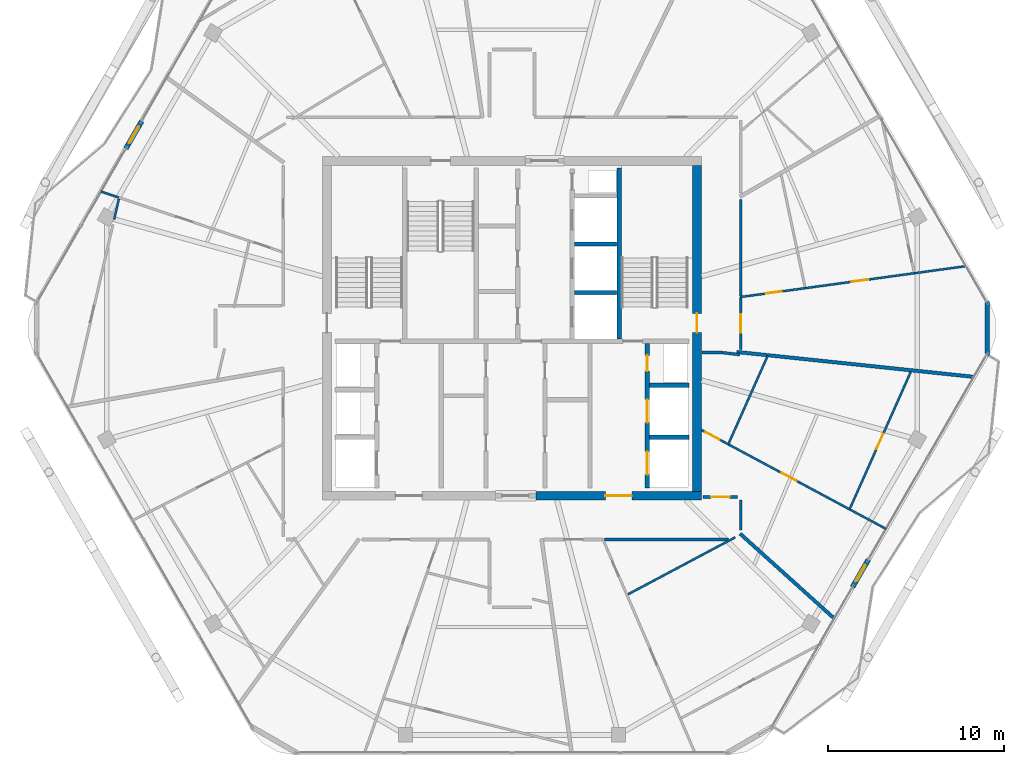
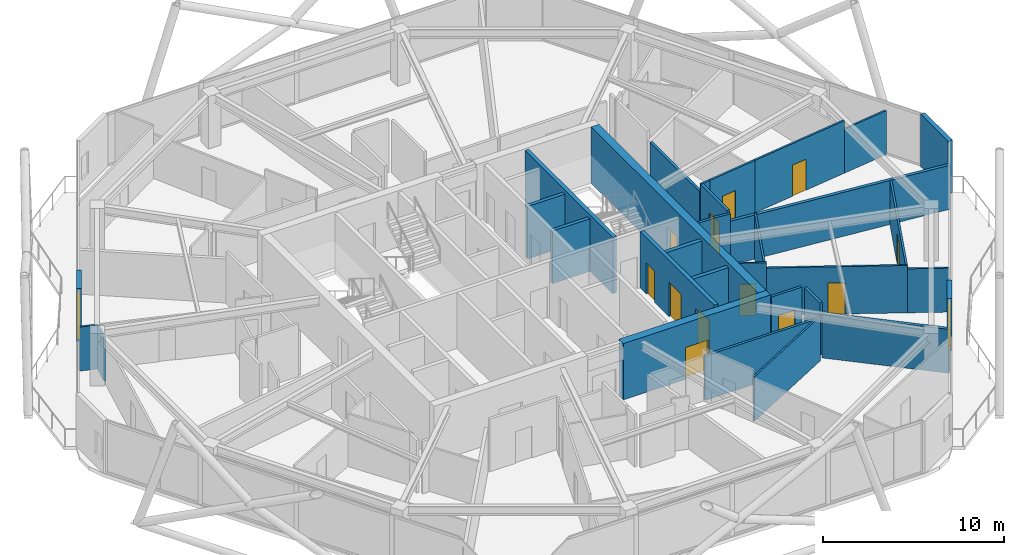
# One storey, part 18 of 23: 32 walls, 14 doors, 14 openings.
"""IFC4 building model written with IfcOpenShell, lengths in metres."""

import ifcopenshell
import ifcopenshell.guid

model = None  # the IFC model being written
_history = None  # IfcOwnerHistory: only IFC2X3 demands one
_inside = {}  # id of a spatial element -> (the spatial element, [elements in it])
_under = {}  # id of a project, library or spatial element -> (it, [spatial elements below it])
_declared = {}  # id of a project -> (the project, [libraries it declares])
_typed = {}  # id of a type object -> (the type object, [elements of that type])
_made_of = {}  # id of a material, layer set ... -> (it, [elements and type objects made of it])


def new_model(schema):
    """Start an empty IFC model of exactly this schema.

    Asked for "IFC4X3", IfcOpenShell would pick the latest addendum, in which some entities
    have other attributes; the version numbers below select the first issue.
    IFC2X3 requires an IfcOwnerHistory on every rooted entity: one is made here for all.
    """
    global model, _history
    if schema == "IFC4X3":
        model = ifcopenshell.file(schema_version=(4, 3, 0, 0))
    else:
        model = ifcopenshell.file(schema=schema)
    _inside.clear()
    _under.clear()
    _declared.clear()
    _typed.clear()
    _made_of.clear()
    _history = None
    if model.schema == "IFC2X3":
        org = make("IfcOrganization", Name="unknown")
        user = make(
            "IfcPersonAndOrganization",
            ThePerson=make("IfcPerson", FamilyName="unknown"),
            TheOrganization=org,
        )
        app = make(
            "IfcApplication",
            ApplicationDeveloper=org,
            Version="unknown",
            ApplicationFullName="unknown",
            ApplicationIdentifier="unknown",
        )
        _history = make(
            "IfcOwnerHistory",
            OwningUser=user,
            OwningApplication=app,
            ChangeAction="ADDED",
            CreationDate=0,
        )
    return model


def make(cls, **values):
    """One entity of the class cls with the attributes given. An attribute that is None is left unset."""
    return model.create_entity(
        cls, **{name: value for name, value in values.items() if value is not None}
    )


def rooted(cls, **values):
    """An entity with a GlobalId (a new one), such as an element, a storey or a relation."""
    return make(cls, GlobalId=ifcopenshell.guid.new(), OwnerHistory=_history, **values)


def si_unit(unit_type, name, prefix=None):
    """IfcSIUnit, for example si_unit("LENGTHUNIT", "METRE", prefix="MILLI")."""
    return make("IfcSIUnit", UnitType=unit_type, Prefix=prefix, Name=name)


def assignment(units):
    """IfcUnitAssignment: the units of a project."""
    return None if units is None else make("IfcUnitAssignment", Units=units)


def point(xyz):
    """IfcCartesianPoint."""
    return None if xyz is None else make("IfcCartesianPoint", Coordinates=xyz)


def direction(xyz):
    """IfcDirection."""
    return None if xyz is None else make("IfcDirection", DirectionRatios=xyz)


def frame(location, z_axis=None, x_axis=None):
    """IfcAxis2Placement3D, a coordinate frame: its origin and axes. An axis left out is left unset."""
    return make(
        "IfcAxis2Placement3D",
        Location=point(location),
        Axis=direction(z_axis),
        RefDirection=direction(x_axis),
    )


def frame_2d(location, x_axis=None):
    """IfcAxis2Placement2D, a coordinate frame in the plane: its origin and x axis."""
    return make(
        "IfcAxis2Placement2D", Location=point(location), RefDirection=direction(x_axis)
    )


def origin():
    """The frame at (0, 0, 0) with its axes left unset."""
    return frame((0.0, 0.0, 0.0))


def place(relative_to, where):
    """IfcLocalPlacement: puts the frame where relative to a parent placement (None: the world)."""
    return make(
        "IfcLocalPlacement", PlacementRelTo=relative_to, RelativePlacement=where
    )


def context(
    kind, dimensions, precision=None, world=None, true_north=None, identifier=None
):
    """IfcGeometricRepresentationContext, for example the 3D "Model" context."""
    return make(
        "IfcGeometricRepresentationContext",
        ContextIdentifier=identifier,
        ContextType=kind,
        CoordinateSpaceDimension=dimensions,
        Precision=precision,
        WorldCoordinateSystem=world,
        TrueNorth=true_north,
    )


def subcontext(parent, identifier, kind, view, scale=None):
    """IfcGeometricRepresentationSubContext, for example "Body" below "Model"."""
    return make(
        "IfcGeometricRepresentationSubContext",
        ContextIdentifier=identifier,
        ContextType=kind,
        ParentContext=parent,
        TargetScale=scale,
        TargetView=view,
    )


def project(units=None, contexts=None):
    """IfcProject with its units and contexts."""
    return rooted(
        "IfcProject",
        Name="project",
        RepresentationContexts=contexts,
        UnitsInContext=assignment(units),
    )


def spatial(cls, under=None, at=None, **own):
    """A site, building, storey or space (cls), placed at a placement, below another one or the project."""
    s = rooted(cls, ObjectPlacement=at, **own)
    if under is not None:
        _under.setdefault(under.id(), (under, []))[1].append(s)
    return s


def profile(cls, at=None, kind="AREA", **sizes):
    """A parametric profile (cls). Its sizes go by their IFC names, for example OverallWidth=200.0."""
    return make(cls, ProfileType=kind, Position=at, **sizes)


def rectangle(**sizes):
    """IfcRectangleProfileDef."""
    return profile("IfcRectangleProfileDef", **sizes)


def extrude(swept, where, along, depth):
    """IfcExtrudedAreaSolid: the profile swept, set in the frame where, extruded along a direction by depth."""
    return make(
        "IfcExtrudedAreaSolid",
        SweptArea=swept,
        Position=where,
        ExtrudedDirection=direction(along),
        Depth=depth,
    )


def shape(context_of_items, identifier, shape_type, items):
    """IfcShapeRepresentation: the items that make up one representation, for example the "Body"."""
    return make(
        "IfcShapeRepresentation",
        ContextOfItems=context_of_items,
        RepresentationIdentifier=identifier,
        RepresentationType=shape_type,
        Items=items,
    )


def material(Name=None, Category=None):
    """IfcMaterial."""
    return make("IfcMaterial", Name=Name, Category=Category)


def layer(
    of_material, thickness, ventilated=None, Name=None, Category=None, Priority=None
):
    """IfcMaterialLayer: one layer of a wall or slab, of a material (None: an air gap)."""
    return make(
        "IfcMaterialLayer",
        Material=of_material,
        LayerThickness=thickness,
        IsVentilated=ventilated,
        Name=Name,
        Category=Category,
        Priority=Priority,
    )


def layer_set(layers, Name=None):
    """IfcMaterialLayerSet."""
    return make("IfcMaterialLayerSet", MaterialLayers=layers, LayerSetName=Name)


def made_of(thing, what):
    """Note that an element or type object is made of a material, layer set ...; save() writes the relation."""
    if what is not None:
        _made_of.setdefault(what.id(), (what, []))[1].append(thing)
    return thing


def type_object(cls, material=None, **own):
    """A type object (cls), such as IfcWallType, which elements share."""
    return made_of(rooted(cls, **own), material)


def element(
    cls,
    number,
    at=None,
    inside=None,
    cuts=None,
    type_object=None,
    material=None,
    context=None,
    identifier="Body",
    shape_type=None,
    held_by="IfcProductDefinitionShape",
    body=None,
    shapes=None,
    **own,
):
    """One element of the class cls, such as IfcWall. Its Tag is "e" and its number.

    at: its placement. inside: the storey or other place that contains it. cuts: it is an
    opening in that element (IfcRelVoidsElement). A single representation is given by context,
    identifier, shape_type and body (its items); several are given by shapes. held_by: the class
    of the entity that holds the representations. save() writes the other relations.
    """
    e = rooted(cls, Tag="e%d" % number, ObjectPlacement=at, **own)
    if body is not None:
        shapes = [shape(context, identifier, shape_type, body)]
    if shapes is not None:
        e.Representation = make(held_by, Representations=shapes)
    if inside is not None:
        _inside.setdefault(inside.id(), (inside, []))[1].append(e)
    if cuts is not None:
        rooted(
            "IfcRelVoidsElement", RelatingBuildingElement=cuts, RelatedOpeningElement=e
        )
    if type_object is not None:
        _typed.setdefault(type_object.id(), (type_object, []))[1].append(e)
    return made_of(e, material)


def fill(opening, filler):
    """IfcRelFillsElement: the door or window that sits in an opening."""
    return rooted(
        "IfcRelFillsElement",
        RelatingOpeningElement=opening,
        RelatedBuildingElement=filler,
    )


def aggregate(whole, parts):
    """IfcRelAggregates: a whole, such as a stair, and the parts it consists of."""
    return rooted("IfcRelAggregates", RelatingObject=whole, RelatedObjects=parts)


def save(model, path):
    """Write the relations noted so far, then the file.

    IfcRelAggregates (storeys below a building ...), IfcRelContainedInSpatialStructure (elements
    in a storey), IfcRelDefinesByType, IfcRelAssociatesMaterial and IfcRelDeclares: one each for
    every whole, place, type object, material and project.
    """
    for whole, parts in _under.values():
        aggregate(whole, parts)
    for where, things in _inside.values():
        rooted(
            "IfcRelContainedInSpatialStructure",
            RelatedElements=things,
            RelatingStructure=where,
        )
    for kind, things in _typed.values():
        rooted("IfcRelDefinesByType", RelatedObjects=things, RelatingType=kind)
    for what, things in _made_of.values():
        rooted("IfcRelAssociatesMaterial", RelatedObjects=things, RelatingMaterial=what)
    for by, libraries in _declared.values():
        rooted("IfcRelDeclares", RelatingContext=by, RelatedDefinitions=libraries)
    model.write(path)


model = new_model("IFC4")

# Units and contexts
model_context = context("Model", 3, precision=1e-05, world=origin(), true_north=direction((0.0, 1.0)))
body_context = subcontext(model_context, "Body", "Model", "MODEL_VIEW")
ifc_project = project(units=[si_unit("LENGTHUNIT", "METRE"), si_unit("AREAUNIT", "SQUARE_METRE"), si_unit("VOLUMEUNIT", "CUBIC_METRE"), si_unit("PLANEANGLEUNIT", "RADIAN"), si_unit("MASSUNIT", "GRAM", prefix="KILO")], contexts=[model_context])

# Site, building, storey
site_placement = place(None, origin())
site = spatial("IfcSite", under=ifc_project, at=site_placement, CompositionType="ELEMENT")
building_placement = place(site_placement, origin())
building = spatial("IfcBuilding", under=site, at=building_placement, Name="Zuhravey Tower", CompositionType="ELEMENT")
storey_placement = place(building_placement, frame((0.0, 0.0, 315.800048828125)))
storey = spatial("IfcBuildingStorey", under=building, at=storey_placement, Name="L80", CompositionType="ELEMENT", Elevation=315.800048828125)

# Wall, opening, door
ifc_material_1 = material(Name="Concrete C50/60", Category="concrete")
ifc_layer_1 = layer(ifc_material_1, 0.5)
ifc_layer_set_1 = layer_set([ifc_layer_1], Name="Concrete C50/60")
wall_type_1 = type_object("IfcWallType", Name="Core Shear Wall 500", PredefinedType="SHEAR", material=ifc_layer_set_1)
wall_1_placement = place(storey_placement, frame((37.35009765625, 22.5, 0.0), z_axis=(0.0, 0.0, 1.0), x_axis=(1.0, 0.0, 0.0)))
wall_1 = element("IfcWall", 1, at=wall_1_placement, inside=storey, type_object=wall_type_1, Name="L80 South-East Core Shear Wall CW50", PredefinedType="SHEAR", context=body_context, shape_type="SweptSolid", body=[
    extrude(rectangle(XDim=9.39990234375, YDim=0.5, at=frame_2d((4.699951171875, 0.0))), origin(), (0.0, 0.0, 1.0), 3.800048828125),
])
opening_1_placement = place(wall_1_placement, frame((3.949951171875, 0.0, 0.0)))
opening_1 = element("IfcOpeningElement", 2, at=opening_1_placement, cuts=wall_1, Name="Opening FFD1", PredefinedType="OPENING", context=body_context, shape_type="SweptSolid", body=[
    extrude(rectangle(XDim=1.5, YDim=2.14990234375, at=frame_2d((0.75, 1.074951171875))), frame((0.0, 0.261962890625, 0.0), z_axis=(0.0, -1.0, 0.0), x_axis=(1.0, 0.0, 0.0)), (0.0, 0.0, 1.0), 0.52392578125),
])
ifc_material_2 = material(Name="Galvanised fire-rated steel leaf", Category="steel")
door_type_1 = type_object("IfcDoorType", Name="Firefighting Lobby Double Door 1500x2150", OperationType="DOUBLE_DOOR_SINGLE_SWING", PredefinedType="DOOR", material=ifc_material_2)
door_1_placement = place(opening_1_placement, origin())
door_1 = element("IfcDoor", 3, at=door_1_placement, inside=storey, type_object=door_type_1, Name="L80 Firefighting Lobby East Door", OperationType="DOUBLE_DOOR_SINGLE_SWING", OverallHeight=2.14990234375, OverallWidth=1.5, PredefinedType="DOOR", context=body_context, shape_type="SweptSolid", body=[
    extrude(rectangle(XDim=1.5, YDim=2.14990234375, at=frame_2d((0.75, 1.074951171875))), frame((0.0, 0.02490234375, 0.0), z_axis=(0.0, -1.0, 0.0), x_axis=(1.0, 0.0, 0.0)), (0.0, 0.0, 1.0), 0.050048828125),
])
fill(opening_1, door_1)

wall_2_placement = place(storey_placement, frame((46.5, 22.75, 0.0), z_axis=(0.0, 0.0, 1.0), x_axis=(0.0, 1.0, 0.0)))
wall_2 = element("IfcWall", 4, at=wall_2_placement, inside=storey, type_object=wall_type_1, Name="L80 East Core Shear Wall CW50", PredefinedType="SHEAR", context=body_context, shape_type="SweptSolid", body=[
    extrude(rectangle(XDim=18.5, YDim=0.5, at=frame_2d((9.25, 0.0))), origin(), (0.0, 0.0, 1.0), 3.800048828125),
])
opening_2_placement = place(wall_2_placement, frame((9.0, 0.0, 0.0)))
opening_2 = element("IfcOpeningElement", 5, at=opening_2_placement, cuts=wall_2, Name="Opening STD1", PredefinedType="OPENING", context=body_context, shape_type="SweptSolid", body=[
    extrude(rectangle(XDim=1.10009765625, YDim=2.14990234375, at=frame_2d((0.550048828125, 1.074951171875))), frame((0.0, 0.261962890625, 0.0), z_axis=(0.0, -1.0, 0.0), x_axis=(1.0, 0.0, 0.0)), (0.0, 0.0, 1.0), 0.52392578125),
])
door_type_2 = type_object("IfcDoorType", Name="Protected Stair Fire Door 1100x2150", OperationType="NOTDEFINED", PredefinedType="USERDEFINED", material=ifc_material_2)
door_2_placement = place(opening_2_placement, origin())
door_2 = element("IfcDoor", 6, at=door_2_placement, inside=storey, type_object=door_type_2, Name="L80 Stair ST2 Door", ObjectType="EXITDOOR", OperationType="SINGLE_SWING_LEFT", OverallHeight=2.14990234375, OverallWidth=1.10009765625, PredefinedType="USERDEFINED", context=body_context, shape_type="SweptSolid", body=[
    extrude(rectangle(XDim=1.10009765625, YDim=2.14990234375, at=frame_2d((0.550048828125, 1.074951171875))), frame((0.0, 0.02490234375, 0.0), z_axis=(0.0, -1.0, 0.0), x_axis=(1.0, 0.0, 0.0)), (0.0, 0.0, 1.0), 0.050048828125),
])
fill(opening_2, door_2)

ifc_material_3 = material(Name="Gypsum fire-rated stud partition")
ifc_layer_2 = layer(ifc_material_3, 0.159912109375)
ifc_layer_set_2 = layer_set([ifc_layer_2], Name="Gypsum fire-rated stud partition")
wall_type_2 = type_object("IfcWallType", Name="Corridor Fire Partition 160", PredefinedType="PARTITIONING", material=ifc_layer_set_2)
wall_3_placement = place(storey_placement, frame((48.800048828125, 22.429931640625, 0.0), z_axis=(0.0, 0.0, 1.0), x_axis=(-1.0, 0.0, 0.0)))
wall_3 = element("IfcWall", 7, at=wall_3_placement, inside=storey, type_object=wall_type_2, Name="L80 IW16 Partition 043", PredefinedType="PARTITIONING", context=body_context, shape_type="SweptSolid", body=[
    extrude(rectangle(XDim=1.952880859375, YDim=0.159912109375, at=frame_2d((0.9765625, 0.0))), origin(), (0.0, 0.0, 1.0), 3.550048828125),
])
opening_3_placement = place(wall_3_placement, frame((0.451416015625, 0.0, 0.0)))
opening_3 = element("IfcOpeningElement", 8, at=opening_3_placement, cuts=wall_3, Name="Opening APD1", PredefinedType="OPENING", context=body_context, shape_type="SweptSolid", body=[
    extrude(rectangle(XDim=1.050048828125, YDim=2.14990234375, at=frame_2d((0.52490234375, 1.074951171875))), frame((0.0, 0.092041015625, 0.0), z_axis=(0.0, -1.0, 0.0), x_axis=(1.0, 0.0, 0.0)), (0.0, 0.0, 1.0), 0.183837890625),
])
ifc_material_4 = material(Name="Solid-core oak fire-rated leaf")
door_type_3 = type_object("IfcDoorType", Name="Apartment Entrance Fire Door 1050x2150", OperationType="NOTDEFINED", PredefinedType="DOOR", material=ifc_material_4)
door_3_placement = place(opening_3_placement, origin())
door_3 = element("IfcDoor", 9, at=door_3_placement, inside=storey, type_object=door_type_3, Name="L80 Door 043.1", OperationType="SINGLE_SWING_RIGHT", OverallHeight=2.14990234375, OverallWidth=1.050048828125, PredefinedType="DOOR", context=body_context, shape_type="SweptSolid", body=[
    extrude(rectangle(XDim=1.050048828125, YDim=2.14990234375, at=frame_2d((0.52490234375, 1.074951171875))), frame((0.0, 0.02490234375, 0.0), z_axis=(0.0, -1.0, 0.0), x_axis=(1.0, 0.0, 0.0)), (0.0, 0.0, 1.0), 0.050048828125),
])
fill(opening_3, door_3)

wall_4_placement = place(storey_placement, frame((48.97998046875, 30.800048828125, 0.0), z_axis=(0.0, 0.0, 1.0), x_axis=(0.0, 1.0, 0.0)))
wall_4 = element("IfcWall", 10, at=wall_4_placement, inside=storey, type_object=wall_type_2, Name="L80 IW16 Partition 047", PredefinedType="PARTITIONING", context=body_context, shape_type="SweptSolid", body=[
    extrude(rectangle(XDim=2.957763671875, YDim=0.159912109375, at=frame_2d((1.47900390625, 0.0))), origin(), (0.0, 0.0, 1.0), 3.550048828125),
])
opening_4_placement = place(wall_4_placement, frame((0.953857421875, 0.0, 0.0)))
opening_4 = element("IfcOpeningElement", 11, at=opening_4_placement, cuts=wall_4, Name="Opening APD1", PredefinedType="OPENING", context=body_context, shape_type="SweptSolid", body=[
    extrude(rectangle(XDim=1.050048828125, YDim=2.14990234375, at=frame_2d((0.52490234375, 1.074951171875))), frame((0.0, 0.092041015625, 0.0), z_axis=(0.0, -1.0, 0.0), x_axis=(1.0, 0.0, 0.0)), (0.0, 0.0, 1.0), 0.183837890625),
])
door_4_placement = place(opening_4_placement, frame((1.050048828125, 0.0, 0.0), z_axis=(0.0, 0.0, 1.0), x_axis=(-1.0, 0.0, 0.0)))
door_4 = element("IfcDoor", 12, at=door_4_placement, inside=storey, type_object=door_type_3, Name="L80 Door 047.1", OperationType="SINGLE_SWING_RIGHT", OverallHeight=2.14990234375, OverallWidth=1.050048828125, PredefinedType="DOOR", context=body_context, shape_type="SweptSolid", body=[
    extrude(rectangle(XDim=1.050048828125, YDim=2.14990234375, at=frame_2d((0.52490234375, 1.074951171875))), frame((0.0, 0.02490234375, 0.0), z_axis=(0.0, -1.0, 0.0), x_axis=(1.0, 0.0, 0.0)), (0.0, 0.0, 1.0), 0.050048828125),
])
fill(opening_4, door_4)

# Walls
wall_5_placement = place(storey_placement, frame((41.23828125, 20.02001953125, 0.0), z_axis=(0.0, 0.0, 1.0), x_axis=(1.0, 0.0, 0.0)))
element("IfcWall", 13, at=wall_5_placement, inside=storey, type_object=wall_type_2, Name="L80 IW16 Partition 107", PredefinedType="PARTITIONING", context=body_context, shape_type="SweptSolid", body=[
    extrude(rectangle(XDim=7.054931640625, YDim=0.159912109375, at=frame_2d((3.52734375, 0.0))), origin(), (0.0, 0.0, 1.0), 3.0),
])
wall_6_placement = place(storey_placement, frame((48.97998046875, 20.54296875, 0.0), z_axis=(0.0, 0.0, 1.0), x_axis=(0.0, 1.0, 0.0)))
element("IfcWall", 14, at=wall_6_placement, inside=storey, type_object=wall_type_2, Name="L80 IW16 Partition 108", PredefinedType="PARTITIONING", context=body_context, shape_type="SweptSolid", body=[
    extrude(rectangle(XDim=1.70703125, YDim=0.159912109375, at=frame_2d((0.853515625, 0.0))), origin(), (0.0, 0.0, 1.0), 3.550048828125),
])
wall_7_placement = place(storey_placement, frame((46.77001953125, 30.6201171875, 0.0), z_axis=(0.0, 0.0, 1.0), x_axis=(1.0, 0.0, 0.0)))
element("IfcWall", 15, at=wall_7_placement, inside=storey, type_object=wall_type_2, Name="L80 IW16 Partition 109", PredefinedType="PARTITIONING", context=body_context, shape_type="SweptSolid", body=[
    extrude(rectangle(XDim=1.165283203125, YDim=0.159912109375, at=frame_2d((0.58251953125, 0.0))), origin(), (0.0, 0.0, 1.0), 3.550048828125),
])
wall_8_placement = place(storey_placement, frame((47.935302734375, 30.6201171875, 0.0), z_axis=(0.0, 0.0, 1.0), x_axis=(0.99355156153, -0.113381191478, 0.0)))
element("IfcWall", 16, at=wall_8_placement, inside=storey, type_object=wall_type_2, Name="L80 IW16 Partition 110", PredefinedType="PARTITIONING", context=body_context, shape_type="SweptSolid", body=[
    extrude(rectangle(XDim=0.9990234375, YDim=0.159912109375, at=frame_2d((0.49951171875, 0.0))), origin(), (0.0, 0.0, 1.0), 3.550048828125),
])
wall_9_placement = place(storey_placement, frame((48.97998046875, 33.8466796875, 0.0), z_axis=(0.0, 0.0, 1.0), x_axis=(0.0, 1.0, 0.0)))
element("IfcWall", 17, at=wall_9_placement, inside=storey, type_object=wall_type_2, Name="L80 IW16 Partition 111", PredefinedType="PARTITIONING", context=body_context, shape_type="SweptSolid", body=[
    extrude(rectangle(XDim=5.47412109375, YDim=0.159912109375, at=frame_2d((2.737060546875, 0.0))), origin(), (0.0, 0.0, 1.0), 3.0),
])

# Wall, opening, door
ifc_material_5 = material(Name="Precast concrete C40/50", Category="concrete")
ifc_layer_3 = layer(ifc_material_5, 0.280029296875)
ifc_layer_set_3 = layer_set([ifc_layer_3], Name="Precast concrete C40/50")
wall_type_3 = type_object("IfcWallType", Name="Crown Architectural Wall 280", PredefinedType="SOLIDWALL", material=ifc_layer_set_3)
wall_10_placement = place(storey_placement, frame((56.218017578125, 18.870361328125, 0.0), z_axis=(0.0, 0.0, 1.0), x_axis=(-0.500041240653, -0.866001592173, 0.0)))
wall_10 = element("IfcWall", 18, at=wall_10_placement, inside=storey, type_object=wall_type_3, Name="L80 Face 6 Facade Pier EW28-1", PredefinedType="SOLIDWALL", context=body_context, shape_type="SweptSolid", body=[
    extrude(rectangle(XDim=1.789794921875, YDim=0.280029296875, at=frame_2d((0.89501953125, 0.0))), origin(), (0.0, 0.0, 1.0), 3.550048828125),
])
opening_5_placement = place(wall_10_placement, frame((0.344970703125, 0.0, 0.0)))
opening_5 = element("IfcOpeningElement", 19, at=opening_5_placement, cuts=wall_10, Name="Opening BLD1", PredefinedType="OPENING", context=body_context, shape_type="SweptSolid", body=[
    extrude(rectangle(XDim=1.10009765625, YDim=2.199951171875, at=frame_2d((0.550048828125, 1.10009765625))), frame((0.0, 0.152099609375, 0.0), z_axis=(0.0, -1.0, 0.0), x_axis=(1.0, 0.0, 0.0)), (0.0, 0.0, 1.0), 0.303955078125),
])
ifc_material_6 = material(Name="Thermally broken aluminium and low-E glass", Category="aluminium")
door_type_4 = type_object("IfcDoorType", Name="Balcony & Sky-Tray Glazed Door 1100x2200", OperationType="NOTDEFINED", PredefinedType="DOOR", material=ifc_material_6)
door_5_placement = place(opening_5_placement, frame((1.10009765625, 0.0, 0.0), z_axis=(0.0, 0.0, 1.0), x_axis=(-1.0, 0.0, 0.0)))
door_5 = element("IfcDoor", 20, at=door_5_placement, inside=storey, type_object=door_type_4, Name="L80 Face 6 Wave Balcony Door", OperationType="SINGLE_SWING_LEFT", OverallHeight=2.199951171875, OverallWidth=1.10009765625, PredefinedType="DOOR", context=body_context, shape_type="SweptSolid", body=[
    extrude(rectangle(XDim=1.10009765625, YDim=2.199951171875, at=frame_2d((0.550048828125, 1.10009765625))), frame((0.0, 0.02490234375, 0.0), z_axis=(0.0, -1.0, 0.0), x_axis=(1.0, 0.0, 0.0)), (0.0, 0.0, 1.0), 0.050048828125),
])
fill(opening_5, door_5)

wall_11_placement = place(storey_placement, frame((14.092041015625, 42.202392578125, 0.0), z_axis=(0.0, 0.0, 1.0), x_axis=(0.499982180423, 0.866035691677, 0.0)))
wall_11 = element("IfcWall", 21, at=wall_11_placement, inside=storey, type_object=wall_type_3, Name="L80 Face 3 Facade Pier EW28-1", PredefinedType="SOLIDWALL", context=body_context, shape_type="SweptSolid", body=[
    extrude(rectangle(XDim=1.7900390625, YDim=0.280029296875, at=frame_2d((0.89501953125, 0.0))), origin(), (0.0, 0.0, 1.0), 3.550048828125),
])
opening_6_placement = place(wall_11_placement, frame((0.344970703125, 0.0, 0.0)))
opening_6 = element("IfcOpeningElement", 22, at=opening_6_placement, cuts=wall_11, Name="Opening BLD1", PredefinedType="OPENING", context=body_context, shape_type="SweptSolid", body=[
    extrude(rectangle(XDim=1.10009765625, YDim=2.199951171875, at=frame_2d((0.550048828125, 1.10009765625))), frame((0.0, 0.152099609375, 0.0), z_axis=(0.0, -1.0, 0.0), x_axis=(1.0, 0.0, 0.0)), (0.0, 0.0, 1.0), 0.303955078125),
])
door_6_placement = place(opening_6_placement, frame((1.10009765625, 0.0, 0.0), z_axis=(0.0, 0.0, 1.0), x_axis=(-1.0, 0.0, 0.0)))
door_6 = element("IfcDoor", 23, at=door_6_placement, inside=storey, type_object=door_type_4, Name="L80 Face 3 Wave Balcony Door", OperationType="SINGLE_SWING_RIGHT", OverallHeight=2.199951171875, OverallWidth=1.10009765625, PredefinedType="DOOR", context=body_context, shape_type="SweptSolid", body=[
    extrude(rectangle(XDim=1.10009765625, YDim=2.199951171875, at=frame_2d((0.550048828125, 1.10009765625))), frame((0.0, 0.02490234375, 0.0), z_axis=(0.0, -1.0, 0.0), x_axis=(1.0, 0.0, 0.0)), (0.0, 0.0, 1.0), 0.050048828125),
])
fill(opening_6, door_6)

# Walls
wall_12_placement = place(storey_placement, frame((62.968505859375, 33.532470703125, 0.0), z_axis=(0.0, 0.0, 1.0), x_axis=(0.0, -1.0, 0.0)))
element("IfcWall", 24, at=wall_12_placement, inside=storey, type_object=wall_type_3, Name="L80 Rounded Corner Closure Wall EW28-12", PredefinedType="SOLIDWALL", context=body_context, shape_type="SweptSolid", body=[
    extrude(rectangle(XDim=3.06494140625, YDim=0.280029296875, at=frame_2d((1.532470703125, 0.0))), origin(), (0.0, 0.0, 1.0), 3.550048828125),
])
ifc_layer_4 = layer(ifc_material_1, 0.25)
ifc_layer_set_4 = layer_set([ifc_layer_4], Name="Concrete C50/60")
wall_type_4 = type_object("IfcWallType", Name="Firefighting Shaft & Stair Wall 250", PredefinedType="SOLIDWALL", material=ifc_layer_set_4)
wall_13_placement = place(storey_placement, frame((42.074951171875, 31.39990234375, 0.0), z_axis=(0.0, 0.0, 1.0), x_axis=(0.0, 1.0, 0.0)))
element("IfcWall", 25, at=wall_13_placement, inside=storey, type_object=wall_type_4, Name="L80 FW25 Shaft Wall 006", PredefinedType="SOLIDWALL", context=body_context, shape_type="SweptSolid", body=[
    extrude(rectangle(XDim=9.7001953125, YDim=0.25, at=frame_2d((4.85009765625, 0.0))), origin(), (0.0, 0.0, 1.0), 3.800048828125),
])
for number, where, z_axis, x_axis, name in (
    (26, (43.800048828125, 25.824951171875, 0.0), (0.0, 0.0, 1.0), (1.0, 0.0, 0.0), "L80 FW25 Shaft Wall 017"),
    (27, (43.800048828125, 28.77490234375, 0.0), (0.0, 0.0, 1.0), (1.0, 0.0, 0.0), "L80 FW25 Shaft Wall 018"),
):
    element("IfcWall", number, at=place(storey_placement, frame(where, z_axis=z_axis, x_axis=x_axis)), inside=storey, type_object=wall_type_4, Name=name, PredefinedType="SOLIDWALL", context=body_context, shape_type="SweptSolid", body=[
        extrude(rectangle(XDim=2.25, YDim=0.25, at=frame_2d((1.125, 0.0))), origin(), (0.0, 0.0, 1.0), 3.800048828125),
    ])

# Wall, openings, doors
wall_14_placement = place(storey_placement, frame((43.675048828125, 22.949951171875, 0.0), z_axis=(0.0, 0.0, 1.0), x_axis=(0.0, 1.0, 0.0)))
wall_14 = element("IfcWall", 28, at=wall_14_placement, inside=storey, type_object=wall_type_4, Name="L80 FW25 Shaft Wall 019", PredefinedType="SOLIDWALL", context=body_context, shape_type="SweptSolid", body=[
    extrude(rectangle(XDim=8.199951171875, YDim=0.25, at=frame_2d((4.10009765625, 0.0))), origin(), (0.0, 0.0, 1.0), 3.800048828125),
])
opening_7_placement = place(wall_14_placement, frame((0.75, 0.0, 0.0)))
opening_7 = element("IfcOpeningElement", 29, at=opening_7_placement, cuts=wall_14, Name="Opening LD2", PredefinedType="OPENING", context=body_context, shape_type="SweptSolid", body=[
    extrude(rectangle(XDim=1.300048828125, YDim=2.300048828125, at=frame_2d((0.64990234375, 1.14990234375))), frame((0.0, 0.136962890625, 0.0), z_axis=(0.0, -1.0, 0.0), x_axis=(1.0, 0.0, 0.0)), (0.0, 0.0, 1.0), 0.27392578125),
])
opening_8_placement = place(wall_14_placement, frame((3.699951171875, 0.0, 0.0)))
opening_8 = element("IfcOpeningElement", 30, at=opening_8_placement, cuts=wall_14, Name="Opening LD2", PredefinedType="OPENING", context=body_context, shape_type="SweptSolid", body=[
    extrude(rectangle(XDim=1.300048828125, YDim=2.300048828125, at=frame_2d((0.64990234375, 1.14990234375))), frame((0.0, 0.136962890625, 0.0), z_axis=(0.0, -1.0, 0.0), x_axis=(1.0, 0.0, 0.0)), (0.0, 0.0, 1.0), 0.27392578125),
])
opening_9_placement = place(wall_14_placement, frame((6.6201171875, 0.0, 0.0)))
opening_9 = element("IfcOpeningElement", 31, at=opening_9_placement, cuts=wall_14, Name="Opening RSD1", PredefinedType="OPENING", context=body_context, shape_type="SweptSolid", body=[
    extrude(rectangle(XDim=0.89990234375, YDim=2.10009765625, at=frame_2d((0.449951171875, 1.050048828125))), frame((0.0, 0.136962890625, 0.0), z_axis=(0.0, -1.0, 0.0), x_axis=(1.0, 0.0, 0.0)), (0.0, 0.0, 1.0), 0.27392578125),
])
ifc_material_7 = material(Name="Brushed stainless steel", Category="steel")
door_type_5 = type_object("IfcDoorType", Name="Freight & Stretcher Lift Sliding Door 1300x2300", OperationType="DOUBLE_DOOR_SLIDING", PredefinedType="DOOR", material=ifc_material_7)
door_7_placement = place(opening_7_placement, origin())
door_7 = element("IfcDoor", 32, at=door_7_placement, inside=storey, type_object=door_type_5, Name="L80 Lift FF2 Landing Door", OperationType="DOUBLE_DOOR_SLIDING", OverallHeight=2.300048828125, OverallWidth=1.300048828125, PredefinedType="DOOR", context=body_context, shape_type="SweptSolid", body=[
    extrude(rectangle(XDim=1.300048828125, YDim=2.300048828125, at=frame_2d((0.64990234375, 1.14990234375))), frame((0.0, 0.02490234375, 0.0), z_axis=(0.0, -1.0, 0.0), x_axis=(1.0, 0.0, 0.0)), (0.0, 0.0, 1.0), 0.050048828125),
])
fill(opening_7, door_7)
door_8_placement = place(opening_8_placement, origin())
door_8 = element("IfcDoor", 33, at=door_8_placement, inside=storey, type_object=door_type_5, Name="L80 Lift SV1 Landing Door", OperationType="DOUBLE_DOOR_SLIDING", OverallHeight=2.300048828125, OverallWidth=1.300048828125, PredefinedType="DOOR", context=body_context, shape_type="SweptSolid", body=[
    extrude(rectangle(XDim=1.300048828125, YDim=2.300048828125, at=frame_2d((0.64990234375, 1.14990234375))), frame((0.0, 0.02490234375, 0.0), z_axis=(0.0, -1.0, 0.0), x_axis=(1.0, 0.0, 0.0)), (0.0, 0.0, 1.0), 0.050048828125),
])
fill(opening_8, door_8)
ifc_material_8 = material(Name="Galvanised fire-rated steel access leaf", Category="steel")
door_type_6 = type_object("IfcDoorType", Name="Riser & Shaft Access Fire Door 900x2100", OperationType="NOTDEFINED", PredefinedType="DOOR", material=ifc_material_8)
door_9_placement = place(opening_9_placement, origin())
door_9 = element("IfcDoor", 34, at=door_9_placement, inside=storey, type_object=door_type_6, Name="L80 Plumbing Riser Door", OperationType="SINGLE_SWING_RIGHT", OverallHeight=2.10009765625, OverallWidth=0.89990234375, PredefinedType="DOOR", context=body_context, shape_type="SweptSolid", body=[
    extrude(rectangle(XDim=0.89990234375, YDim=2.10009765625, at=frame_2d((0.449951171875, 1.050048828125))), frame((0.0, 0.02490234375, 0.0), z_axis=(0.0, -1.0, 0.0), x_axis=(1.0, 0.0, 0.0)), (0.0, 0.0, 1.0), 0.050048828125),
])
fill(opening_9, door_9)

# Walls
ifc_material_9 = material(Name="Gypsum double-stud party assembly")
ifc_layer_5 = layer(ifc_material_9, 0.199951171875)
ifc_layer_set_5 = layer_set([ifc_layer_5], Name="Gypsum double-stud party assembly")
wall_type_5 = type_object("IfcWallType", Name="Inter-Tenancy Party Wall 200", PredefinedType="PARTITIONING", material=ifc_layer_set_5)
wall_15_placement = place(storey_placement, frame((48.93994140625, 20.348876953125, 0.0), z_axis=(0.0, 0.0, 1.0), x_axis=(0.74315080538, -0.669123964944, 0.0)))
element("IfcWall", 35, at=wall_15_placement, inside=storey, type_object=wall_type_5, Name="L80 IW20 Partition 083", PredefinedType="PARTITIONING", context=body_context, shape_type="SweptSolid", body=[
    extrude(rectangle(XDim=7.199462890625, YDim=0.199951171875, at=frame_2d((3.599609375, 0.0))), origin(), (0.0, 0.0, 1.0), 2.969970703125),
])
wall_16_placement = place(storey_placement, frame((48.749267578125, 30.659912109375, 0.0), z_axis=(0.0, 0.0, 1.0), x_axis=(0.994522047609, -0.104527014781, 0.0)))
element("IfcWall", 36, at=wall_16_placement, inside=storey, type_object=wall_type_5, Name="L80 IW20 Partition 086", PredefinedType="PARTITIONING", context=body_context, shape_type="SweptSolid", body=[
    extrude(rectangle(XDim=13.532958984375, YDim=0.199951171875, at=frame_2d((6.7666015625, 0.0))), origin(), (0.0, 0.0, 1.0), 2.969970703125),
])
ifc_material_10 = material(Name="Gypsum acoustic stud assembly")
ifc_layer_6 = layer(ifc_material_10, 0.219970703125)
ifc_layer_set_6 = layer_set([ifc_layer_6], Name="Gypsum acoustic stud assembly")
wall_type_6 = type_object("IfcWallType", Name="School Acoustic Compartment Wall 220", PredefinedType="PARTITIONING", material=ifc_layer_set_6)
for number, where, z_axis, x_axis, name in (
    (37, (39.55810546875, 34.02490234375, 0.0), (0.0, 0.0, 1.0), (1.0, 0.0, 0.0), "L80 IW22 Partition 054"),
    (38, (39.55810546875, 36.77490234375, 0.0), (0.0, 0.0, 1.0), (1.0, 0.0, 0.0), "L80 IW22 Partition 055"),
):
    element("IfcWall", number, at=place(storey_placement, frame(where, z_axis=z_axis, x_axis=x_axis)), inside=storey, type_object=wall_type_6, Name=name, PredefinedType="PARTITIONING", context=body_context, shape_type="SweptSolid", body=[
        extrude(rectangle(XDim=2.3837890625, YDim=0.219970703125, at=frame_2d((1.19189453125, 0.0))), origin(), (0.0, 0.0, 1.0), 3.550048828125),
    ])

# Wall, opening, door
ifc_material_11 = material(Name="Gypsum metal-stud partition")
ifc_layer_7 = layer(ifc_material_11, 0.1201171875)
ifc_layer_set_7 = layer_set([ifc_layer_7], Name="Gypsum metal-stud partition")
wall_type_7 = type_object("IfcWallType", Name="Unit Internal Partition 120", PredefinedType="PARTITIONING", material=ifc_layer_set_7)
wall_17_placement = place(storey_placement, frame((46.758056640625, 26.231689453125, 0.0), z_axis=(0.0, 0.0, 1.0), x_axis=(0.881229995183, -0.472687735814, 0.0)))
wall_17 = element("IfcWall", 39, at=wall_17_placement, inside=storey, type_object=wall_type_7, Name="L80 IW12 Partition 040", PredefinedType="PARTITIONING", context=body_context, shape_type="SweptSolid", body=[
    extrude(rectangle(XDim=1.7431640625, YDim=0.1201171875, at=frame_2d((0.87158203125, 0.0))), origin(), (0.0, 0.0, 1.0), 3.550048828125),
])
opening_10_placement = place(wall_17_placement, frame((0.260498046875, 0.0, 0.0)))
opening_10 = element("IfcOpeningElement", 40, at=opening_10_placement, cuts=wall_17, Name="Opening WCD1", PredefinedType="OPENING", context=body_context, shape_type="SweptSolid", body=[
    extrude(rectangle(XDim=0.89990234375, YDim=2.10009765625, at=frame_2d((0.449951171875, 1.050048828125))), frame((0.0, 0.072021484375, 0.0), z_axis=(0.0, -1.0, 0.0), x_axis=(1.0, 0.0, 0.0)), (0.0, 0.0, 1.0), 0.14404296875),
])
ifc_material_12 = material(Name="Moisture-resistant timber leaf", Category="wood")
door_type_7 = type_object("IfcDoorType", Name="Bathroom & WC Internal Door 900x2100", OperationType="NOTDEFINED", PredefinedType="DOOR", material=ifc_material_12)
door_10_placement = place(opening_10_placement, origin())
door_10 = element("IfcDoor", 41, at=door_10_placement, inside=storey, type_object=door_type_7, Name="Apartment L80-06 Bathroom Door", OperationType="SINGLE_SWING_LEFT", OverallHeight=2.10009765625, OverallWidth=0.89990234375, PredefinedType="DOOR", context=body_context, shape_type="SweptSolid", body=[
    extrude(rectangle(XDim=0.89990234375, YDim=2.10009765625, at=frame_2d((0.449951171875, 1.050048828125))), frame((0.0, 0.02490234375, 0.0), z_axis=(0.0, -1.0, 0.0), x_axis=(1.0, 0.0, 0.0)), (0.0, 0.0, 1.0), 0.050048828125),
])
fill(opening_10, door_10)

wall_18_placement = place(storey_placement, frame((48.294189453125, 25.40771484375, 0.0), z_axis=(0.0, 0.0, 1.0), x_axis=(0.881316812489, -0.472525846937, 0.0)))
wall_18 = element("IfcWall", 42, at=wall_18_placement, inside=storey, type_object=wall_type_7, Name="L80 IW12 Partition 041", PredefinedType="PARTITIONING", context=body_context, shape_type="SweptSolid", body=[
    extrude(rectangle(XDim=7.810546875, YDim=0.1201171875, at=frame_2d((3.9052734375, 0.0))), origin(), (0.0, 0.0, 1.0), 3.199951171875),
])
opening_11_placement = place(wall_18_placement, frame((3.4052734375, 0.0, 0.0)))
opening_11 = element("IfcOpeningElement", 43, at=opening_11_placement, cuts=wall_18, Name="Opening IND1", PredefinedType="OPENING", context=body_context, shape_type="SweptSolid", body=[
    extrude(rectangle(XDim=0.949951171875, YDim=2.10009765625, at=frame_2d((0.47509765625, 1.050048828125))), frame((0.0, 0.072021484375, 0.0), z_axis=(0.0, -1.0, 0.0), x_axis=(1.0, 0.0, 0.0)), (0.0, 0.0, 1.0), 0.14404296875),
])
ifc_material_13 = material(Name="Painted engineered timber leaf", Category="wood")
door_type_8 = type_object("IfcDoorType", Name="Internal Room & Bedroom Door 950x2100", OperationType="NOTDEFINED", PredefinedType="DOOR", material=ifc_material_13)
door_11_placement = place(opening_11_placement, origin())
door_11 = element("IfcDoor", 44, at=door_11_placement, inside=storey, type_object=door_type_8, Name="Apartment L80-06 Home Office Door", OperationType="SINGLE_SWING_RIGHT", OverallHeight=2.10009765625, OverallWidth=0.949951171875, PredefinedType="DOOR", context=body_context, shape_type="SweptSolid", body=[
    extrude(rectangle(XDim=0.949951171875, YDim=2.10009765625, at=frame_2d((0.47509765625, 1.050048828125))), frame((0.0, 0.02490234375, 0.0), z_axis=(0.0, -1.0, 0.0), x_axis=(1.0, 0.0, 0.0)), (0.0, 0.0, 1.0), 0.050048828125),
])
fill(opening_11, door_11)

wall_19_placement = place(storey_placement, frame((55.183349609375, 21.791015625, 0.0), z_axis=(0.0, 0.0, 1.0), x_axis=(0.406737913361, 0.913544892074, 0.0)))
wall_19 = element("IfcWall", 45, at=wall_19_placement, inside=storey, type_object=wall_type_7, Name="L80 IW12 Partition 042", PredefinedType="PARTITIONING", context=body_context, shape_type="SweptSolid", body=[
    extrude(rectangle(XDim=8.46337890625, YDim=0.1201171875, at=frame_2d((4.231689453125, 0.0))), origin(), (0.0, 0.0, 1.0), 3.0),
])
opening_12_placement = place(wall_19_placement, frame((3.67236328125, 0.0, 0.0)))
opening_12 = element("IfcOpeningElement", 46, at=opening_12_placement, cuts=wall_19, Name="Opening IND1", PredefinedType="OPENING", context=body_context, shape_type="SweptSolid", body=[
    extrude(rectangle(XDim=0.949951171875, YDim=2.10009765625, at=frame_2d((0.47509765625, 1.050048828125))), frame((0.0, 0.072021484375, 0.0), z_axis=(0.0, -1.0, 0.0), x_axis=(1.0, 0.0, 0.0)), (0.0, 0.0, 1.0), 0.14404296875),
])
door_12_placement = place(opening_12_placement, frame((0.949951171875, 0.0, 0.0), z_axis=(0.0, 0.0, 1.0), x_axis=(-1.0, 0.0, 0.0)))
door_12 = element("IfcDoor", 47, at=door_12_placement, inside=storey, type_object=door_type_8, Name="Apartment L80-06 Bedroom 1 Door", OperationType="SINGLE_SWING_LEFT", OverallHeight=2.10009765625, OverallWidth=0.949951171875, PredefinedType="DOOR", context=body_context, shape_type="SweptSolid", body=[
    extrude(rectangle(XDim=0.949951171875, YDim=2.10009765625, at=frame_2d((0.47509765625, 1.050048828125))), frame((0.0, 0.02490234375, 0.0), z_axis=(0.0, -1.0, 0.0), x_axis=(1.0, 0.0, 0.0)), (0.0, 0.0, 1.0), 0.050048828125),
])
fill(opening_12, door_12)

wall_20_placement = place(storey_placement, frame((49.550048828125, 33.856201171875, 0.0), z_axis=(0.0, 0.0, 1.0), x_axis=(0.990754403165, 0.135667654987, 0.0)))
wall_20 = element("IfcWall", 48, at=wall_20_placement, inside=storey, type_object=wall_type_7, Name="L80 IW12 Partition 044", PredefinedType="PARTITIONING", context=body_context, shape_type="SweptSolid", body=[
    extrude(rectangle(XDim=3.143798828125, YDim=0.1201171875, at=frame_2d((1.57177734375, 0.0))), origin(), (0.0, 0.0, 1.0), 3.550048828125),
])
opening_13_placement = place(wall_20_placement, frame((0.870361328125, 0.0, 0.0)))
opening_13 = element("IfcOpeningElement", 49, at=opening_13_placement, cuts=wall_20, Name="Opening WCD1", PredefinedType="OPENING", context=body_context, shape_type="SweptSolid", body=[
    extrude(rectangle(XDim=0.89990234375, YDim=2.10009765625, at=frame_2d((0.449951171875, 1.050048828125))), frame((0.0, 0.072021484375, 0.0), z_axis=(0.0, -1.0, 0.0), x_axis=(1.0, 0.0, 0.0)), (0.0, 0.0, 1.0), 0.14404296875),
])
door_13_placement = place(opening_13_placement, origin())
door_13 = element("IfcDoor", 50, at=door_13_placement, inside=storey, type_object=door_type_7, Name="Apartment L80-07 Bathroom Door", OperationType="SINGLE_SWING_LEFT", OverallHeight=2.10009765625, OverallWidth=0.89990234375, PredefinedType="DOOR", context=body_context, shape_type="SweptSolid", body=[
    extrude(rectangle(XDim=0.89990234375, YDim=2.10009765625, at=frame_2d((0.449951171875, 1.050048828125))), frame((0.0, 0.02490234375, 0.0), z_axis=(0.0, -1.0, 0.0), x_axis=(1.0, 0.0, 0.0)), (0.0, 0.0, 1.0), 0.050048828125),
])
fill(opening_13, door_13)

wall_21_placement = place(storey_placement, frame((52.664794921875, 34.28271484375, 0.0), z_axis=(0.0, 0.0, 1.0), x_axis=(0.990745092284, 0.135735633182, 0.0)))
wall_21 = element("IfcWall", 51, at=wall_21_placement, inside=storey, type_object=wall_type_7, Name="L80 IW12 Partition 045", PredefinedType="PARTITIONING", context=body_context, shape_type="SweptSolid", body=[
    extrude(rectangle(XDim=6.24853515625, YDim=0.1201171875, at=frame_2d((3.124267578125, 0.0))), origin(), (0.0, 0.0, 1.0), 3.550048828125),
])
opening_14_placement = place(wall_21_placement, frame((2.624267578125, 0.0, 0.0)))
opening_14 = element("IfcOpeningElement", 52, at=opening_14_placement, cuts=wall_21, Name="Opening IND1", PredefinedType="OPENING", context=body_context, shape_type="SweptSolid", body=[
    extrude(rectangle(XDim=0.949951171875, YDim=2.10009765625, at=frame_2d((0.47509765625, 1.050048828125))), frame((0.0, 0.072021484375, 0.0), z_axis=(0.0, -1.0, 0.0), x_axis=(1.0, 0.0, 0.0)), (0.0, 0.0, 1.0), 0.14404296875),
])
door_14_placement = place(opening_14_placement, origin())
door_14 = element("IfcDoor", 53, at=door_14_placement, inside=storey, type_object=door_type_8, Name="Apartment L80-07 Home Office Door", OperationType="SINGLE_SWING_RIGHT", OverallHeight=2.10009765625, OverallWidth=0.949951171875, PredefinedType="DOOR", context=body_context, shape_type="SweptSolid", body=[
    extrude(rectangle(XDim=0.949951171875, YDim=2.10009765625, at=frame_2d((0.47509765625, 1.050048828125))), frame((0.0, 0.02490234375, 0.0), z_axis=(0.0, -1.0, 0.0), x_axis=(1.0, 0.0, 0.0)), (0.0, 0.0, 1.0), 0.050048828125),
])
fill(opening_14, door_14)

# Walls
wall_22_placement = place(storey_placement, frame((13.6865234375, 39.422607421875, 0.0), z_axis=(0.0, 0.0, 1.0), x_axis=(-0.948843569766, 0.315746544105, 0.0)))
element("IfcWall", 54, at=wall_22_placement, inside=storey, type_object=wall_type_7, Name="L80 IW12 Partition 065", PredefinedType="PARTITIONING", context=body_context, shape_type="SweptSolid", body=[
    extrude(rectangle(XDim=1.0654296875, YDim=0.1201171875, at=frame_2d((0.53271484375, 0.0))), origin(), (0.0, 0.0, 1.0), 2.969970703125),
])
wall_23_placement = place(storey_placement, frame((13.69482421875, 39.348388671875, 0.0), z_axis=(0.0, 0.0, 1.0), x_axis=(-0.225009033114, -0.974356677515, 0.0)))
element("IfcWall", 55, at=wall_23_placement, inside=storey, type_object=wall_type_7, Name="L80 IW12 Partition 068", PredefinedType="PARTITIONING", context=body_context, shape_type="SweptSolid", body=[
    extrude(rectangle(XDim=1.1923828125, YDim=0.1201171875, at=frame_2d((0.59619140625, 0.0))), origin(), (0.0, 0.0, 1.0), 2.969970703125),
])
wall_24_placement = place(storey_placement, frame((42.5810546875, 16.90576171875, 0.0), z_axis=(0.0, 0.0, 1.0), x_axis=(0.882955532535, 0.469456630122, 0.0)))
element("IfcWall", 56, at=wall_24_placement, inside=storey, type_object=wall_type_7, Name="L80 IW12 Partition 082", PredefinedType="PARTITIONING", context=body_context, shape_type="SweptSolid", body=[
    extrude(rectangle(XDim=6.88916015625, YDim=0.1201171875, at=frame_2d((3.444580078125, 0.0))), origin(), (0.0, 0.0, 1.0), 3.0),
])
wall_25_placement = place(storey_placement, frame((55.177734375, 21.717041015625, 0.0), z_axis=(0.0, 0.0, 1.0), x_axis=(0.881280537469, -0.472593497922, 0.0)))
element("IfcWall", 57, at=wall_25_placement, inside=storey, type_object=wall_type_7, Name="L80 IW12 Partition 084", PredefinedType="PARTITIONING", context=body_context, shape_type="SweptSolid", body=[
    extrude(rectangle(XDim=2.330322265625, YDim=0.1201171875, at=frame_2d((1.1650390625, 0.0))), origin(), (0.0, 0.0, 1.0), 2.969970703125),
])
wall_26_placement = place(storey_placement, frame((48.300048828125, 25.48193359375, 0.0), z_axis=(0.0, 0.0, 1.0), x_axis=(0.406734356289, 0.913546475782, 0.0)))
element("IfcWall", 58, at=wall_26_placement, inside=storey, type_object=wall_type_7, Name="L80 IW12 Partition 085", PredefinedType="PARTITIONING", context=body_context, shape_type="SweptSolid", body=[
    extrude(rectangle(XDim=5.435302734375, YDim=0.1201171875, at=frame_2d((2.7177734375, 0.0))), origin(), (0.0, 0.0, 1.0), 3.0),
])
wall_27_placement = place(storey_placement, frame((48.935302734375, 33.77197265625, 0.0), z_axis=(0.0, 0.0, 1.0), x_axis=(0.990743771345, 0.135745274469, 0.0)))
element("IfcWall", 59, at=wall_27_placement, inside=storey, type_object=wall_type_7, Name="L80 IW12 Partition 087", PredefinedType="PARTITIONING", context=body_context, shape_type="SweptSolid", body=[
    extrude(rectangle(XDim=0.62060546875, YDim=0.1201171875, at=frame_2d((0.310302734375, 0.0))), origin(), (0.0, 0.0, 1.0), 3.550048828125),
])
wall_28_placement = place(storey_placement, frame((58.85546875, 35.130859375, 0.0), z_axis=(0.0, 0.0, 1.0), x_axis=(0.990749539567, 0.135703168156, 0.0)))
element("IfcWall", 60, at=wall_28_placement, inside=storey, type_object=wall_type_7, Name="L80 IW12 Partition 088", PredefinedType="PARTITIONING", context=body_context, shape_type="SweptSolid", body=[
    extrude(rectangle(XDim=2.93603515625, YDim=0.1201171875, at=frame_2d((1.468017578125, 0.0))), origin(), (0.0, 0.0, 1.0), 2.969970703125),
])

save(model, "model.ifc")
